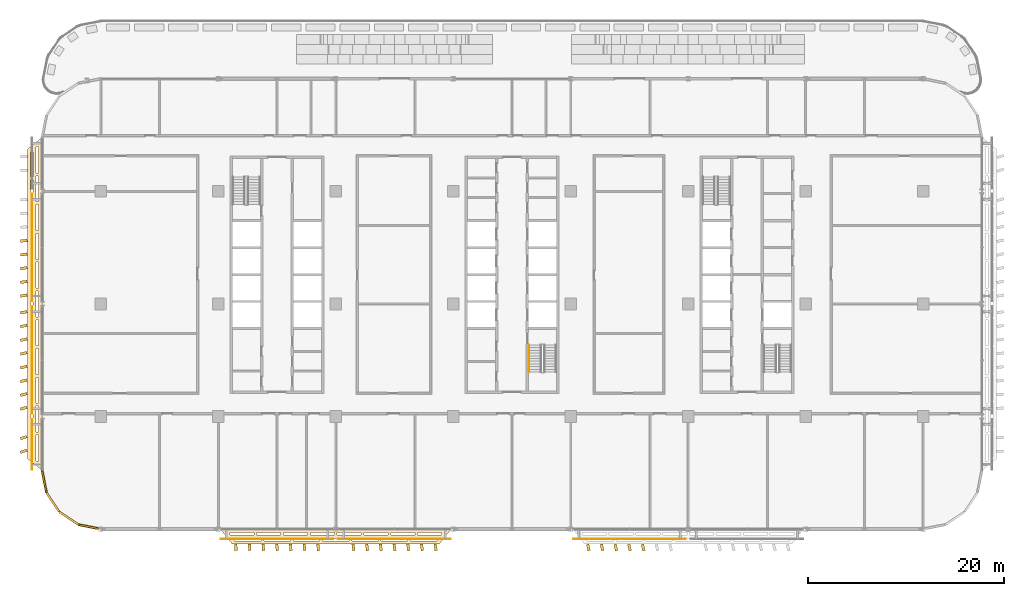
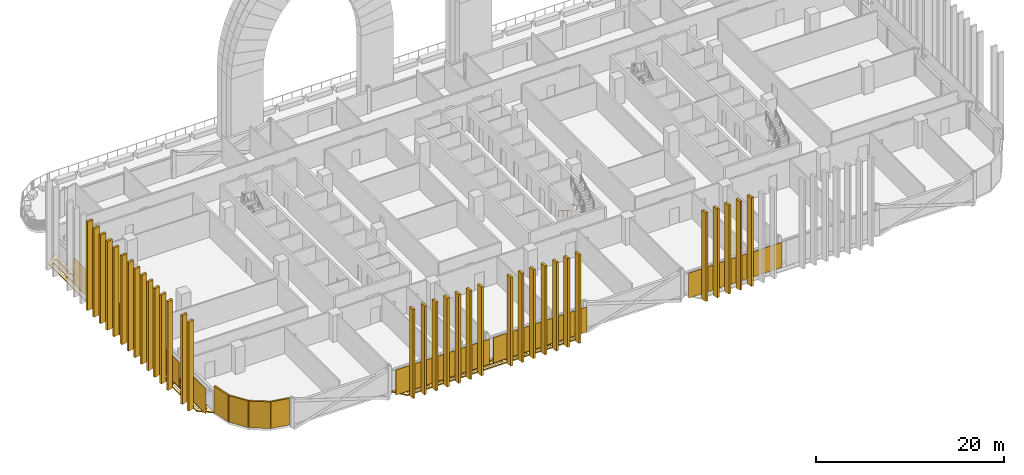
# One storey, part 22 of 30: 46 coverings, 1 railing.
"""IFC4 building model written with IfcOpenShell, lengths in metres."""

from ifc_helpers import new_model, si_unit, direction, frame, origin, origin_2d, place, context, subcontext, project, spatial, polyline, rectangle, circle, outline, extrude, material, layer, layer_set, type_object, element, save


model = new_model("IFC4")

# Units and contexts
model_context = context("Model", 3, precision=1e-05, world=origin(), true_north=direction((0.0, 1.0)))
body_context = subcontext(model_context, "Body", "Model", "MODEL_VIEW")
ifc_project = project(units=[si_unit("LENGTHUNIT", "METRE"), si_unit("AREAUNIT", "SQUARE_METRE"), si_unit("VOLUMEUNIT", "CUBIC_METRE"), si_unit("PLANEANGLEUNIT", "RADIAN"), si_unit("MASSUNIT", "GRAM", prefix="KILO")], contexts=[model_context])

# Site, building, storey
site_placement = place(None, origin())
site = spatial("IfcSite", under=ifc_project, at=site_placement, CompositionType="ELEMENT")
building_placement = place(site_placement, origin())
building = spatial("IfcBuilding", under=site, at=building_placement, Name="Mahtab Terrace Research Tower", CompositionType="ELEMENT")
storey_placement = place(building_placement, frame((0.0, 0.0, 159.199951171875)))
storey = spatial("IfcBuildingStorey", under=building, at=storey_placement, Name="L37", CompositionType="ELEMENT", Elevation=159.199951171875)

# Coverings
ifc_material_1 = material(Name="Black aluminium cladding panel", Category="aluminium")
ifc_layer_1 = layer(ifc_material_1, 0.199951171875)
ifc_layer_set_1 = layer_set([ifc_layer_1], Name="Black metal corner cladding 200")
covering_type_1 = type_object("IfcCoveringType", Name="Black metal corner cladding 200", PredefinedType="CLADDING", material=ifc_layer_set_1)
for number, where, z_axis, x_axis, name in (
    (1, (-47.771484375, -18.14794921875, 0.0), (0.0, 0.0, 1.0), (0.195212442692, -0.980760981187, 0.0), "Corner cladding L37 19"),
    (2, (-46.89306640625, -20.26953125, 0.0), (0.0, 0.0, 1.0), (0.555291490808, -0.831655794326, 0.0), "Corner cladding L37 20"),
    (3, (-45.26953125, -21.89306640625, 0.0), (0.0, 0.0, 1.0), (0.831655794326, -0.555291490808, 0.0), "Corner cladding L37 21"),
):
    element("IfcCovering", number, at=place(storey_placement, frame(where, z_axis=z_axis, x_axis=x_axis)), inside=storey, type_object=covering_type_1, Name=name, PredefinedType="CLADDING", context=body_context, shape_type="SweptSolid", body=[
        extrude(rectangle(XDim=2.30126953125, YDim=0.199951171875, at=origin_2d()), origin(), (0.0, 0.0, 1.0), 3.4599609375),
    ])
covering_1_placement = place(storey_placement, frame((-43.25830078125, -22.74951171875, 0.0), z_axis=(0.0, 0.0, 1.0), x_axis=(0.980760981187, -0.195212442692, 0.0)))
element("IfcCovering", 4, at=covering_1_placement, inside=storey, type_object=covering_type_1, Name="Corner cladding L37 22", PredefinedType="CLADDING", context=body_context, shape_type="SweptSolid", body=[
    extrude(rectangle(XDim=2.07666015625, YDim=0.199951171875, at=origin_2d()), origin(), (0.0, 0.0, 1.0), 3.4599609375),
])
ifc_material_2 = material(Name="Black anodised aluminium", Category="aluminium")
ifc_layer_2 = layer(ifc_material_2, 0.14990234375)
ifc_layer_set_2 = layer_set([ifc_layer_2], Name="Horizontal sunshade band")
covering_type_2 = type_object("IfcCoveringType", Name="Horizontal sunshade band", PredefinedType="CLADDING", material=ifc_layer_set_2)
covering_2_placement = place(storey_placement, frame((0.0, 0.0, -0.14990234375)))
element("IfcCovering", 5, at=covering_2_placement, inside=storey, type_object=covering_type_2, Name="Sunshade band L37 15", PredefinedType="CLADDING", context=body_context, shape_type="SweptSolid", body=[
    extrude(outline(polyline([(-48.0, 17.0), (-48.0, -17.0), (-49.5, -15.800048828125), (-49.5, 15.800048828125), (-48.0, 17.0)]), holes=[polyline([(-48.35009765625, 16.02001953125), (-48.35009765625, 13.3798828125), (-48.60009765625, 13.3798828125), (-48.60009765625, 16.02001953125), (-48.35009765625, 16.02001953125)]), polyline([(-48.35009765625, 13.080078125), (-48.35009765625, 10.43994140625), (-48.60009765625, 10.43994140625), (-48.60009765625, 13.080078125), (-48.35009765625, 13.080078125)]), polyline([(-48.35009765625, 10.139892578125), (-48.35009765625, 7.5), (-48.60009765625, 7.5), (-48.60009765625, 10.139892578125), (-48.35009765625, 10.139892578125)]), polyline([(-48.35009765625, 7.199951171875), (-48.35009765625, 4.56005859375), (-48.60009765625, 4.56005859375), (-48.60009765625, 7.199951171875), (-48.35009765625, 7.199951171875)]), polyline([(-48.35009765625, 4.260009765625), (-48.35009765625, 1.6201171875), (-48.60009765625, 1.6201171875), (-48.60009765625, 4.260009765625), (-48.35009765625, 4.260009765625)]), polyline([(-48.35009765625, 1.320068359375), (-48.35009765625, -1.320068359375), (-48.60009765625, -1.320068359375), (-48.60009765625, 1.320068359375), (-48.35009765625, 1.320068359375)]), polyline([(-48.35009765625, -1.6201171875), (-48.35009765625, -4.260009765625), (-48.60009765625, -4.260009765625), (-48.60009765625, -1.6201171875), (-48.35009765625, -1.6201171875)]), polyline([(-48.35009765625, -4.56005859375), (-48.35009765625, -7.199951171875), (-48.60009765625, -7.199951171875), (-48.60009765625, -4.56005859375), (-48.35009765625, -4.56005859375)]), polyline([(-48.35009765625, -7.5), (-48.35009765625, -10.139892578125), (-48.60009765625, -10.139892578125), (-48.60009765625, -7.5), (-48.35009765625, -7.5)]), polyline([(-48.35009765625, -10.43994140625), (-48.35009765625, -13.080078125), (-48.60009765625, -13.080078125), (-48.60009765625, -10.43994140625), (-48.35009765625, -10.43994140625)]), polyline([(-48.35009765625, -13.3798828125), (-48.35009765625, -16.02001953125), (-48.60009765625, -16.02001953125), (-48.60009765625, -13.3798828125), (-48.35009765625, -13.3798828125)]), polyline([(-48.949951171875, 15.5400390625), (-48.949951171875, 12.987060546875), (-49.199951171875, 12.987060546875), (-49.199951171875, 15.5400390625), (-48.949951171875, 15.5400390625)]), polyline([(-48.949951171875, 12.68701171875), (-48.949951171875, 10.135009765625), (-49.199951171875, 10.135009765625), (-49.199951171875, 12.68701171875), (-48.949951171875, 12.68701171875)]), polyline([(-48.949951171875, 9.8349609375), (-48.949951171875, 7.281982421875), (-49.199951171875, 7.281982421875), (-49.199951171875, 9.8349609375), (-48.949951171875, 9.8349609375)]), polyline([(-48.949951171875, 6.98193359375), (-48.949951171875, 4.428955078125), (-49.199951171875, 4.428955078125), (-49.199951171875, 6.98193359375), (-48.949951171875, 6.98193359375)]), polyline([(-48.949951171875, 4.12890625), (-48.949951171875, 1.575927734375), (-49.199951171875, 1.575927734375), (-49.199951171875, 4.12890625), (-48.949951171875, 4.12890625)]), polyline([(-48.949951171875, 1.27587890625), (-48.949951171875, -1.27587890625), (-49.199951171875, -1.27587890625), (-49.199951171875, 1.27587890625), (-48.949951171875, 1.27587890625)]), polyline([(-48.949951171875, -1.575927734375), (-48.949951171875, -4.12890625), (-49.199951171875, -4.12890625), (-49.199951171875, -1.575927734375), (-48.949951171875, -1.575927734375)]), polyline([(-48.949951171875, -4.428955078125), (-48.949951171875, -6.98193359375), (-49.199951171875, -6.98193359375), (-49.199951171875, -4.428955078125), (-48.949951171875, -4.428955078125)]), polyline([(-48.949951171875, -7.281982421875), (-48.949951171875, -9.8349609375), (-49.199951171875, -9.8349609375), (-49.199951171875, -7.281982421875), (-48.949951171875, -7.281982421875)]), polyline([(-48.949951171875, -10.135009765625), (-48.949951171875, -12.68701171875), (-49.199951171875, -12.68701171875), (-49.199951171875, -10.135009765625), (-48.949951171875, -10.135009765625)]), polyline([(-48.949951171875, -12.987060546875), (-48.949951171875, -15.5400390625), (-49.199951171875, -15.5400390625), (-49.199951171875, -12.987060546875), (-48.949951171875, -12.987060546875)])]), origin(), (0.0, 0.0, 1.0), 0.14990234375),
])
covering_3_placement = place(storey_placement, frame((0.0, 0.0, -0.14990234375)))
element("IfcCovering", 6, at=covering_3_placement, inside=storey, type_object=covering_type_2, Name="Sunshade band L37 24", PredefinedType="CLADDING", context=body_context, shape_type="SweptSolid", body=[
    extrude(outline(polyline([(-29.7919921875, -23.0), (-6.2080078125, -23.0), (-7.407958984375, -24.5), (-28.592041015625, -24.5), (-29.7919921875, -23.0)]), holes=[polyline([(-28.81201171875, -23.35009765625), (-26.3720703125, -23.35009765625), (-26.3720703125, -23.60009765625), (-28.81201171875, -23.60009765625), (-28.81201171875, -23.35009765625)]), polyline([(-26.072021484375, -23.35009765625), (-23.631103515625, -23.35009765625), (-23.631103515625, -23.60009765625), (-26.072021484375, -23.60009765625), (-26.072021484375, -23.35009765625)]), polyline([(-23.3310546875, -23.35009765625), (-20.889892578125, -23.35009765625), (-20.889892578125, -23.60009765625), (-23.3310546875, -23.60009765625), (-23.3310546875, -23.35009765625)]), polyline([(-20.590087890625, -23.35009765625), (-18.14990234375, -23.35009765625), (-18.14990234375, -23.60009765625), (-20.590087890625, -23.60009765625), (-20.590087890625, -23.35009765625)]), polyline([(-17.85009765625, -23.35009765625), (-15.409912109375, -23.35009765625), (-15.409912109375, -23.60009765625), (-17.85009765625, -23.60009765625), (-17.85009765625, -23.35009765625)]), polyline([(-15.10888671875, -23.35009765625), (-12.6689453125, -23.35009765625), (-12.6689453125, -23.60009765625), (-15.10888671875, -23.60009765625), (-15.10888671875, -23.35009765625)]), polyline([(-12.368896484375, -23.35009765625), (-9.927978515625, -23.35009765625), (-9.927978515625, -23.60009765625), (-12.368896484375, -23.60009765625), (-12.368896484375, -23.35009765625)]), polyline([(-9.62890625, -23.35009765625), (-7.18798828125, -23.35009765625), (-7.18798828125, -23.60009765625), (-9.62890625, -23.60009765625), (-9.62890625, -23.35009765625)]), polyline([(-28.33203125, -23.949951171875), (-25.636962890625, -23.949951171875), (-25.636962890625, -24.199951171875), (-28.33203125, -24.199951171875), (-28.33203125, -23.949951171875)]), polyline([(-25.3369140625, -23.949951171875), (-22.64208984375, -23.949951171875), (-22.64208984375, -24.199951171875), (-25.3369140625, -24.199951171875), (-25.3369140625, -23.949951171875)]), polyline([(-22.342041015625, -23.949951171875), (-19.64697265625, -23.949951171875), (-19.64697265625, -24.199951171875), (-22.342041015625, -24.199951171875), (-22.342041015625, -23.949951171875)]), polyline([(-19.346923828125, -23.949951171875), (-16.653076171875, -23.949951171875), (-16.653076171875, -24.199951171875), (-19.346923828125, -24.199951171875), (-19.346923828125, -23.949951171875)]), polyline([(-16.35302734375, -23.949951171875), (-13.657958984375, -23.949951171875), (-13.657958984375, -24.199951171875), (-16.35302734375, -24.199951171875), (-16.35302734375, -23.949951171875)]), polyline([(-13.35791015625, -23.949951171875), (-10.6630859375, -23.949951171875), (-10.6630859375, -24.199951171875), (-13.35791015625, -24.199951171875), (-13.35791015625, -23.949951171875)]), polyline([(-10.363037109375, -23.949951171875), (-7.66796875, -23.949951171875), (-7.66796875, -24.199951171875), (-10.363037109375, -24.199951171875), (-10.363037109375, -23.949951171875)])]), origin(), (0.0, 0.0, 1.0), 0.14990234375),
])
ifc_material_3 = material(Name="Bronze anodised aluminium", Category="aluminium")
ifc_layer_3 = layer(ifc_material_3, 0.050048828125)
ifc_layer_set_3 = layer_set([ifc_layer_3], Name="Sky lounge girih screen panel")
covering_type_3 = type_object("IfcCoveringType", Name="Sky lounge girih screen panel", PredefinedType="CLADDING", material=ifc_layer_set_3)
for number, where, z_axis, x_axis, name in (
    (7, (-49.02490234375, 5.75, 0.10009765625), (0.0, 0.0, 1.0), (0.0, -1.0, 0.0), "Girih screen L37 W17"),
    (8, (-49.02490234375, -5.75, 0.10009765625), (0.0, 0.0, 1.0), (0.0, -1.0, 0.0), "Girih screen L37 W18"),
):
    element("IfcCovering", number, at=place(storey_placement, frame(where, z_axis=z_axis, x_axis=x_axis)), inside=storey, type_object=covering_type_3, Name=name, PredefinedType="CLADDING", context=body_context, shape_type="SweptSolid", body=[
        extrude(rectangle(XDim=10.98388671875, YDim=0.050048828125, at=origin_2d()), origin(), (0.0, 0.0, 1.0), 3.260009765625),
    ])
covering_4_placement = place(storey_placement, frame((-49.02490234375, -14.35400390625, 0.10009765625), z_axis=(0.0, 0.0, 1.0), x_axis=(0.0, -1.0, 0.0)))
element("IfcCovering", 9, at=covering_4_placement, inside=storey, type_object=covering_type_3, Name="Girih screen L37 W19", PredefinedType="CLADDING", context=body_context, shape_type="SweptSolid", body=[
    extrude(rectangle(XDim=5.19189453125, YDim=0.050048828125, at=origin_2d()), origin(), (0.0, 0.0, 1.0), 3.260009765625),
])
for number, where, z_axis, x_axis, name in (
    (10, (-24.0, -24.02490234375, 0.10009765625), (0.0, 0.0, 1.0), (1.0, 0.0, 0.0), "Girih screen L37 S25"),
    (11, (-12.0, -24.02490234375, 0.10009765625), (0.0, 0.0, 1.0), (1.0, 0.0, 0.0), "Girih screen L37 S26"),
    (12, (12.0, -24.02490234375, 0.10009765625), (0.0, 0.0, 1.0), (1.0, 0.0, 0.0), "Girih screen L37 S28"),
):
    element("IfcCovering", number, at=place(storey_placement, frame(where, z_axis=z_axis, x_axis=x_axis)), inside=storey, type_object=covering_type_3, Name=name, PredefinedType="CLADDING", context=body_context, shape_type="SweptSolid", body=[
        extrude(rectangle(XDim=11.48388671875, YDim=0.050048828125, at=origin_2d()), origin(), (0.0, 0.0, 1.0), 3.260009765625),
    ])

# Railing
ifc_material_4 = material(Name="Stainless steel AISI 304", Category="steel")
railing_type = type_object("IfcRailingType", Name="Stair handrail 900", PredefinedType="HANDRAIL", material=ifc_material_4)
railing_placement = place(storey_placement, frame((1.75, -4.175048828125, 0.1728515625)))
element("IfcRailing", 13, at=railing_placement, inside=storey, type_object=railing_type, Name="L37 ST2 stair handrail 1", PredefinedType="HANDRAIL", context=body_context, shape_type="SweptSolid", body=[
    extrude(circle(Radius=0.02392578125, at=origin_2d()), frame((0.0, 0.0, 0.8759765625), z_axis=(0.0, -0.851089632645, 0.525020415988), x_axis=(1.0, 0.0, 0.0)), (0.0, 0.0, 1.0), 3.2900390625),
    extrude(circle(Radius=0.02099609375, at=origin_2d()), origin(), (0.0, 0.0, 1.0), 0.851806640625),
    extrude(circle(Radius=0.02099609375, at=origin_2d()), frame((0.0, -0.933349609375, 0.57568359375)), (0.0, 0.0, 1.0), 0.851806640625),
    extrude(circle(Radius=0.02099609375, at=origin_2d()), frame((0.0, -1.86669921875, 1.151611328125)), (0.0, 0.0, 1.0), 0.851806640625),
    extrude(circle(Radius=0.02099609375, at=origin_2d()), frame((0.0, -2.800048828125, 1.727294921875)), (0.0, 0.0, 1.0), 0.851806640625),
])

# Coverings
ifc_layer_4 = layer(ifc_material_3, 0.1201171875)
ifc_layer_set_4 = layer_set([ifc_layer_4], Name="Vertical fin 700")
covering_type_4 = type_object("IfcCoveringType", Name="Vertical fin 700", PredefinedType="CLADDING", material=ifc_layer_set_4)
for number, where, z_axis, x_axis, name in (
    (14, (-49.863037109375, 6.449951171875, -0.14990234375), (0.0, 0.0, 1.0), (0.108101421065, -0.994139870825, 0.0), "Fin L37 W4"),
    (15, (-49.864501953125, 5.050048828125, -0.14990234375), (0.0, 0.0, 1.0), (0.122378833164, -0.992483461421, 0.0), "Fin L37 W5"),
    (16, (-49.865966796875, 3.64990234375, -0.14990234375), (0.0, 0.0, 1.0), (0.136630963225, -0.990622016658, 0.0), "Fin L37 W6"),
    (17, (-49.8671875, 2.25, -0.14990234375), (0.0, 0.0, 1.0), (0.15085486696, -0.988555921086, 0.0), "Fin L37 W7"),
    (18, (-49.868408203125, 0.85009765625, -0.14990234375), (0.0, 0.0, 1.0), (0.165047605861, -0.986285601537, 0.0), "Fin L37 W8"),
    (19, (-49.86962890625, -0.85009765625, -0.14990234375), (0.0, 0.0, 1.0), (0.182235525492, -0.983254907564, 0.0), "Fin L37 W1"),
    (20, (-49.87060546875, -2.25, -0.14990234375), (0.0, 0.0, 1.0), (0.196348832524, -0.980534107498, 0.0), "Fin L37 W2"),
    (21, (-49.87158203125, -3.64990234375, -0.14990234375), (0.0, 0.0, 1.0), (0.210421576206, -0.977610740667, 0.0), "Fin L37 W3"),
    (22, (-49.87255859375, -5.050048828125, -0.14990234375), (0.0, 0.0, 1.0), (0.224450849259, -0.974485411008, 0.0), "Fin L37 W4"),
    (23, (-49.873291015625, -6.449951171875, -0.14990234375), (0.0, 0.0, 1.0), (0.238433753434, -0.971158764169, 0.0), "Fin L37 W5"),
    (24, (-49.8740234375, -7.85009765625, -0.14990234375), (0.0, 0.0, 1.0), (0.252367400013, -0.967631487401, 0.0), "Fin L37 W6"),
    (25, (-49.874755859375, -9.25, -0.14990234375), (0.0, 0.0, 1.0), (0.266248910467, -0.963904309397, 0.0), "Fin L37 W7"),
    (26, (-49.875244140625, -10.64990234375, -0.14990234375), (0.0, 0.0, 1.0), (0.280075417025, -0.959978000153, 0.0), "Fin L37 W8"),
    (27, (-49.876220703125, -13.654052734375, -0.14990234375), (0.0, 0.0, 1.0), (0.30954421136, -0.950885051525, 0.0), "Fin L37 W1"),
    (28, (-49.87646484375, -15.053955078125, -0.14990234375), (0.0, 0.0, 1.0), (0.323179122533, -0.946337812178, 0.0), "Fin L37 W2"),
    (29, (-28.199951171875, -24.857421875, -0.14990234375), (0.0, 0.0, 1.0), (0.998356138179, 0.057315105867, 0.0), "Fin L37 S1"),
    (30, (-26.800048828125, -24.858154296875, -0.14990234375), (0.0, 0.0, 1.0), (0.998005798968, 0.063122303718, 0.0), "Fin L37 S2"),
    (31, (-25.39990234375, -24.85888671875, -0.14990234375), (0.0, 0.0, 1.0), (0.997621680969, 0.068927365114, 0.0), "Fin L37 S3"),
    (32, (-24.0, -24.859375, -0.14990234375), (0.0, 0.0, 1.0), (0.997203797181, 0.074730093591, 0.0), "Fin L37 S4"),
    (33, (-22.60009765625, -24.860107421875, -0.14990234375), (0.0, 0.0, 1.0), (0.996752161751, 0.080530292716, 0.0), "Fin L37 S5"),
    (34, (-21.199951171875, -24.86083984375, -0.14990234375), (0.0, 0.0, 1.0), (0.996266789964, 0.086327766189, 0.0), "Fin L37 S6"),
    (35, (-19.800048828125, -24.861328125, -0.14990234375), (0.0, 0.0, 1.0), (0.995747698246, 0.092122317805, 0.0), "Fin L37 S7"),
    (36, (-16.199951171875, -24.863037109375, -0.14990234375), (0.0, 0.0, 1.0), (0.994258180634, 0.107007804585, 0.0), "Fin L37 S1"),
    (37, (-14.800048828125, -24.863525390625, -0.14990234375), (0.0, 0.0, 1.0), (0.993618812002, 0.112790320663, 0.0), "Fin L37 S2"),
    (38, (-13.39990234375, -24.864013671875, -0.14990234375), (0.0, 0.0, 1.0), (0.992945813063, 0.118569019226, 0.0), "Fin L37 S3"),
    (39, (-12.0, -24.86474609375, -0.14990234375), (0.0, 0.0, 1.0), (0.9922392066, 0.12434370465, 0.0), "Fin L37 S4"),
    (40, (-10.60009765625, -24.865234375, -0.14990234375), (0.0, 0.0, 1.0), (0.991499016526, 0.130114181502, 0.0), "Fin L37 S5"),
    (41, (-9.199951171875, -24.86572265625, -0.14990234375), (0.0, 0.0, 1.0), (0.990725267892, 0.135880254489, 0.0), "Fin L37 S6"),
    (42, (-7.800048828125, -24.8662109375, -0.14990234375), (0.0, 0.0, 1.0), (0.989917986891, 0.141641728418, 0.0), "Fin L37 S7"),
    (43, (7.800048828125, -24.871337890625, -0.14990234375), (0.0, 0.0, 1.0), (0.978662951719, 0.205472204767, 0.0), "Fin L37 S1"),
    (44, (9.199951171875, -24.87158203125, -0.14990234375), (0.0, 0.0, 1.0), (0.97745100758, 0.211162325667, 0.0), "Fin L37 S2"),
    (45, (10.60009765625, -24.8720703125, -0.14990234375), (0.0, 0.0, 1.0), (0.976205980352, 0.216845299523, 0.0), "Fin L37 S3"),
    (46, (12.0, -24.872314453125, -0.14990234375), (0.0, 0.0, 1.0), (0.974927912182, 0.222520933954, 0.0), "Fin L37 S4"),
    (47, (13.39990234375, -24.872802734375, -0.14990234375), (0.0, 0.0, 1.0), (0.973616846325, 0.228189036878, 0.0), "Fin L37 S5"),
):
    element("IfcCovering", number, at=place(storey_placement, frame(where, z_axis=z_axis, x_axis=x_axis)), inside=storey, type_object=covering_type_4, Name=name, PredefinedType="CLADDING", context=body_context, shape_type="SweptSolid", body=[
        extrude(rectangle(XDim=0.280029296875, YDim=0.699951171875, at=origin_2d()), origin(), (0.0, 0.0, 1.0), 11.550048828125),
    ])

save(model, "model.ifc")
